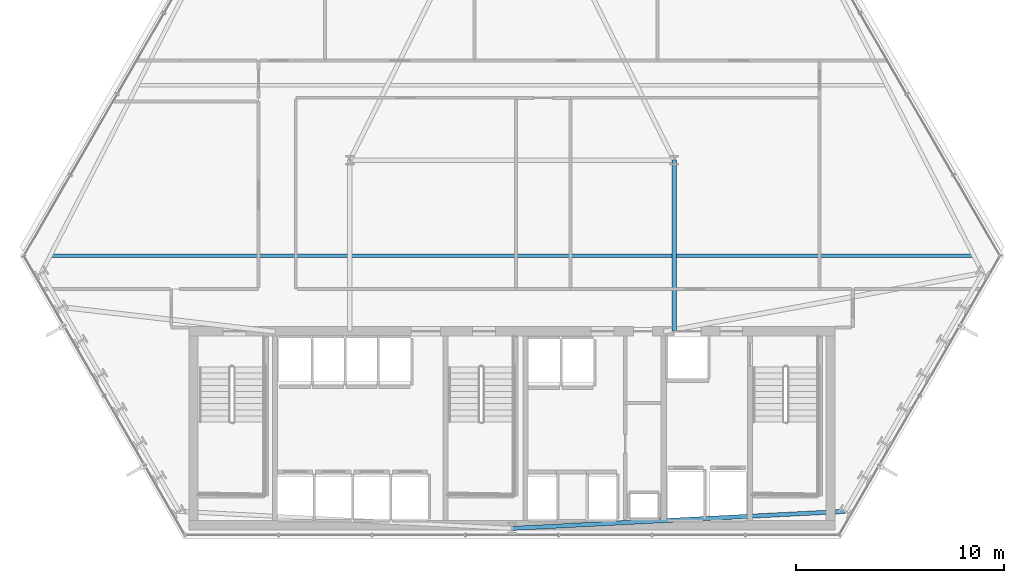
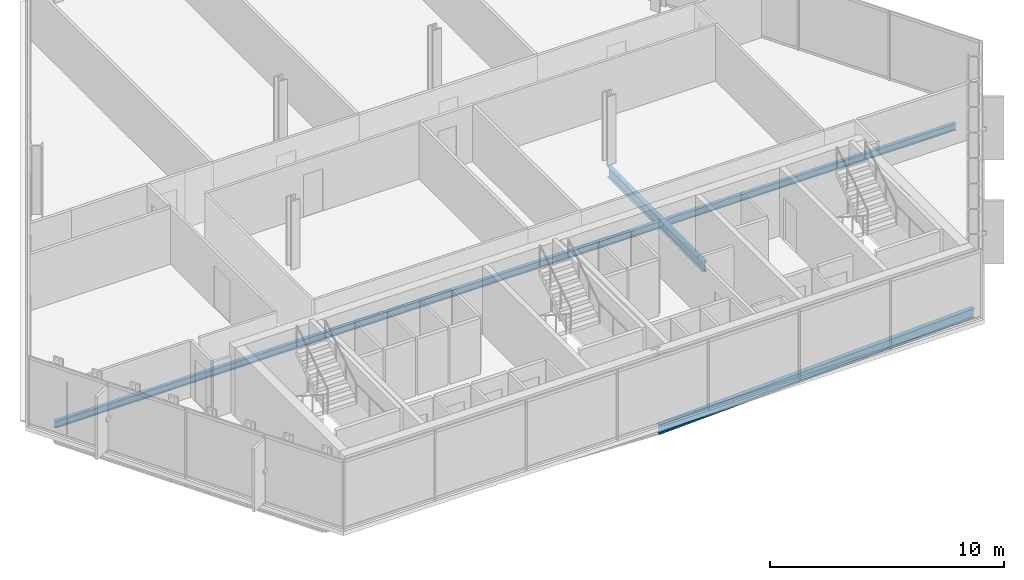
# One storey, part 10 of 32: 3 beams.
"""IFC4 building model written with IfcOpenShell, lengths in metres."""

from ifc_helpers import new_model, si_unit, direction, frame, origin, origin_2d, place, context, subcontext, project, spatial, i_section, extrude, material, material_profile, profile_set, type_object, element, save


model = new_model("IFC4")

# Units and contexts
model_context = context("Model", 3, precision=1e-05, world=origin(), true_north=direction((0.0, 1.0)))
body_context = subcontext(model_context, "Body", "Model", "MODEL_VIEW")
ifc_project = project(units=[si_unit("LENGTHUNIT", "METRE"), si_unit("AREAUNIT", "SQUARE_METRE"), si_unit("VOLUMEUNIT", "CUBIC_METRE"), si_unit("PLANEANGLEUNIT", "RADIAN"), si_unit("MASSUNIT", "GRAM", prefix="KILO")], contexts=[model_context])

# Site, building, storey
site_placement = place(None, origin())
site = spatial("IfcSite", under=ifc_project, at=site_placement, CompositionType="ELEMENT")
building_placement = place(site_placement, origin())
building = spatial("IfcBuilding", under=site, at=building_placement, Name="Ndaravel Arena Tower", CompositionType="ELEMENT")
storey_placement = place(building_placement, frame((0.0, 0.0, 58.800048828125)))
storey = spatial("IfcBuildingStorey", under=building, at=storey_placement, Name="L12", CompositionType="ELEMENT", Elevation=58.800048828125)

# Beams
ifc_material_1 = material(Name="Steel S355", Category="steel")
ifc_material_profile_1 = material_profile(ifc_material_1, i_section(OverallWidth=0.210693359375, OverallDepth=0.53955078125, WebThickness=0.01171875, FlangeThickness=0.018798828125, FilletRadius=0.0126953125, at=origin_2d()), Name="UB 533x210x109")
ifc_profile_set_1 = profile_set([ifc_material_profile_1], Name="Steel S355")
beam_type_1 = type_object("IfcBeamType", Name="BM-GIRD-UB533", PredefinedType="BEAM", material=ifc_profile_set_1)
beam_1_placement = place(storey_placement, frame((49.800048828125, 14.97998046875, -0.48974609375), z_axis=(0.0, 1.0, 0.0), x_axis=(-1.0, 0.0, 0.0)))
element("IfcBeam", 1, at=beam_1_placement, inside=storey, type_object=beam_type_1, Name="L12 Spine Link Girder SLG-02", PredefinedType="BEAM", context=body_context, shape_type="SweptSolid", body=[
    extrude(i_section(OverallWidth=0.210693359375, OverallDepth=0.53955078125, WebThickness=0.01171875, FlangeThickness=0.018798828125, FilletRadius=0.0126953125, at=origin_2d()), origin(), (0.0, 0.0, 1.0), 8.219970703125),
])
ifc_material_2 = material(Name="Steel S355", Category="steel")
ifc_material_profile_2 = material_profile(ifc_material_2, i_section(OverallWidth=0.169921875, OverallDepth=0.360107421875, WebThickness=0.008056640625, FlangeThickness=0.0126953125, FilletRadius=0.01806640625, at=origin_2d()), Name="IPE 360")
ifc_profile_set_2 = profile_set([ifc_material_profile_2], Name="Steel S355")
beam_type_2 = type_object("IfcBeamType", Name="BM-JOIST-IPE360", PredefinedType="JOIST", material=ifc_profile_set_2)
beam_2_placement = place(storey_placement, frame((19.773681640625, 18.60009765625, -0.400146484375), z_axis=(1.0, 0.0, 0.0), x_axis=(0.0, 1.0, 0.0)))
element("IfcBeam", 2, at=beam_2_placement, inside=storey, type_object=beam_type_2, Name="L12 Composite Floor Joist FJ-01", PredefinedType="JOIST", context=body_context, shape_type="SweptSolid", body=[
    extrude(i_section(OverallWidth=0.169921875, OverallDepth=0.360107421875, WebThickness=0.008056640625, FlangeThickness=0.0126953125, FilletRadius=0.01806640625, at=origin_2d()), origin(), (0.0, 0.0, 1.0), 44.45263671875),
])
ifc_material_3 = material(Name="Steel S355", Category="steel")
ifc_material_profile_3 = material_profile(ifc_material_3, i_section(OverallWidth=0.199951171875, OverallDepth=0.5, WebThickness=0.01025390625, FlangeThickness=0.01611328125, FilletRadius=0.02099609375, at=origin_2d()), Name="IPE 500")
ifc_profile_set_3 = profile_set([ifc_material_profile_3], Name="Steel S355")
beam_type_3 = type_object("IfcBeamType", Name="BM-SPAN-IPE500", PredefinedType="SPANDREL", material=ifc_profile_set_3)
beam_3_placement = place(storey_placement, frame((42.0, 5.47998046875, -0.469970703125), z_axis=(0.998694459714, 0.051082052981, 0.0), x_axis=(-0.051082052981, 0.998694459714, 0.0)))
element("IfcBeam", 3, at=beam_3_placement, inside=storey, type_object=beam_type_3, Name="L12 Perimeter Spandrel Beam SP-01", PredefinedType="SPANDREL", context=body_context, shape_type="SweptSolid", body=[
    extrude(i_section(OverallWidth=0.199951171875, OverallDepth=0.5, WebThickness=0.01025390625, FlangeThickness=0.01611328125, FilletRadius=0.02099609375, at=origin_2d()), origin(), (0.0, 0.0, 1.0), 16.04443359375),
])

save(model, "model.ifc")
